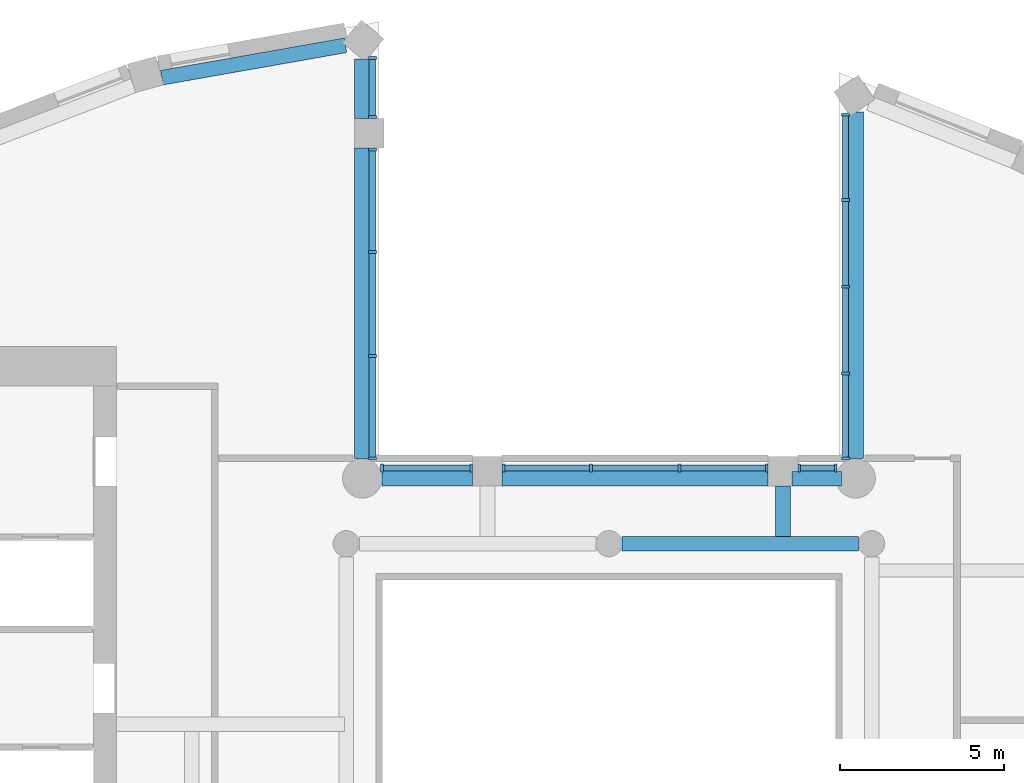
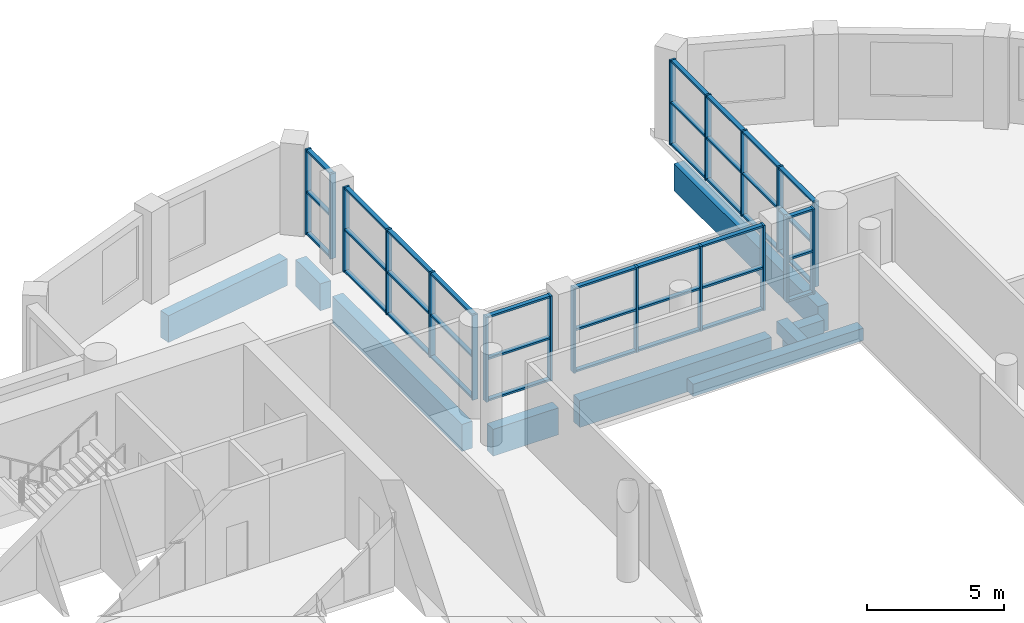
# One storey, part 2 of 15: 58 members, 9 beams, 6 elements without a shape of their own.
"""IFC4 building model written with IfcOpenShell, lengths in metres."""

from ifc_helpers import new_model, si_unit, direction, frame, origin, origin_2d, place, context, subcontext, project, spatial, rectangle, extrude, material, material_profile, profile_set, type_object, element, aggregate, save


model = new_model("IFC4")

# Units and contexts
model_context = context("Model", 3, precision=1e-05, world=origin(), true_north=direction((0.0, 1.0)))
body_context = subcontext(model_context, "Body", "Model", "MODEL_VIEW")
ifc_project = project(units=[si_unit("LENGTHUNIT", "METRE"), si_unit("AREAUNIT", "SQUARE_METRE"), si_unit("VOLUMEUNIT", "CUBIC_METRE"), si_unit("PLANEANGLEUNIT", "RADIAN"), si_unit("MASSUNIT", "GRAM", prefix="KILO")], contexts=[model_context])

# Site, building, storey
site_placement = place(None, origin())
site = spatial("IfcSite", under=ifc_project, at=site_placement, CompositionType="ELEMENT")
building_placement = place(site_placement, origin())
building = spatial("IfcBuilding", under=site, at=building_placement, Name="Cypress Arch Tower", CompositionType="ELEMENT")
storey_placement = place(building_placement, frame((0.0, 0.0, 317.199951171875)))
storey = spatial("IfcBuildingStorey", under=building, at=storey_placement, Name="L72", CompositionType="ELEMENT", Elevation=317.199951171875)

# Beams
ifc_material_1 = material(Name="Concrete C50/60", Category="concrete")
ifc_material_profile_1 = material_profile(ifc_material_1, rectangle(XDim=0.449951171875, YDim=0.550048828125, at=origin_2d()), Name="RC 450x550")
ifc_profile_set_1 = profile_set([ifc_material_profile_1], Name="Concrete C50/60")
beam_type_1 = type_object("IfcBeamType", Name="Floor beam RC 450x550 Concrete C50/60", PredefinedType="BEAM", material=ifc_profile_set_1)
beam_1_placement = place(storey_placement, frame((1.39990234375, 10.0, -0.574951171875), z_axis=(1.0, 0.0, 0.0), x_axis=(0.0, 1.0, 0.0)))
element("IfcBeam", 1, at=beam_1_placement, inside=storey, type_object=beam_type_1, Name="Floor beam L72 RB008", PredefinedType="BEAM", context=body_context, shape_type="SweptSolid", body=[
    extrude(rectangle(XDim=0.449951171875, YDim=0.550048828125, at=origin_2d()), origin(), (0.0, 0.0, 1.0), 7.2001953125),
])
beam_2_placement = place(storey_placement, frame((6.300048828125, 10.22509765625, -0.574951171875), z_axis=(0.0, 1.0, 0.0), x_axis=(-1.0, 0.0, 0.0)))
element("IfcBeam", 2, at=beam_2_placement, inside=storey, type_object=beam_type_1, Name="Floor beam L72 FB013", PredefinedType="BEAM", context=body_context, shape_type="SweptSolid", body=[
    extrude(rectangle(XDim=0.449951171875, YDim=0.550048828125, at=origin_2d()), origin(), (0.0, 0.0, 1.0), 1.52490234375),
])

# Curtain wall, members
ifc_material_2 = material(Name="Anodised aluminium, bronze finish, clear laminated double glazing", Category="aluminium")
curtain_wall_type = type_object("IfcCurtainWallType", Name="Curtain wall CW7 slot glazing", PredefinedType="NOTDEFINED", material=ifc_material_2)
curtain_wall_1_placement = place(storey_placement, origin())
curtain_wall_1 = element("IfcCurtainWall", 3, at=curtain_wall_1_placement, inside=storey, type_object=curtain_wall_type, Name="Curtain wall L72 slot C00.0", PredefinedType="NOTDEFINED")
ifc_material_3 = material(Name="Anodised aluminium, bronze finish", Category="aluminium")
ifc_material_profile_2 = material_profile(ifc_material_3, rectangle(XDim=0.239990234375, YDim=0.0849609375, at=origin_2d()), Name="Mullion 85x240")
ifc_profile_set_2 = profile_set([ifc_material_profile_2], Name="Anodised aluminium, bronze finish")
member_type_1 = type_object("IfcMemberType", Name="Mullion CW7 85x240", PredefinedType="MULLION", material=ifc_profile_set_2)
member_1_placement = place(storey_placement, frame((8.199951171875, 23.060302734375, 0.0), z_axis=(0.0, 0.0, 1.0), x_axis=(1.0, 0.0, 0.0)))
member_1 = element("IfcMember", 4, at=member_1_placement, type_object=member_type_1, Name="CW7 mullion 1", PredefinedType="MULLION", context=body_context, shape_type="SweptSolid", body=[
    extrude(rectangle(XDim=0.239990234375, YDim=0.0849609375, at=origin_2d()), origin(), (0.0, 0.0, 1.0), 3.800048828125),
])
member_2_placement = place(storey_placement, frame((8.199951171875, 20.464111328125, 0.0), z_axis=(0.0, 0.0, 1.0), x_axis=(1.0, 0.0, 0.0)))
member_2 = element("IfcMember", 5, at=member_2_placement, type_object=member_type_1, Name="CW7 mullion 2", PredefinedType="MULLION", context=body_context, shape_type="SweptSolid", body=[
    extrude(rectangle(XDim=0.239990234375, YDim=0.0849609375, at=origin_2d()), origin(), (0.0, 0.0, 1.0), 3.800048828125),
])
member_3_placement = place(storey_placement, frame((8.199951171875, 17.82568359375, 0.0), z_axis=(0.0, 0.0, 1.0), x_axis=(1.0, 0.0, 0.0)))
member_3 = element("IfcMember", 6, at=member_3_placement, type_object=member_type_1, Name="CW7 mullion 3", PredefinedType="MULLION", context=body_context, shape_type="SweptSolid", body=[
    extrude(rectangle(XDim=0.239990234375, YDim=0.0849609375, at=origin_2d()), origin(), (0.0, 0.0, 1.0), 3.800048828125),
])
member_4_placement = place(storey_placement, frame((8.199951171875, 15.18701171875, 0.0), z_axis=(0.0, 0.0, 1.0), x_axis=(1.0, 0.0, 0.0)))
member_4 = element("IfcMember", 7, at=member_4_placement, type_object=member_type_1, Name="CW7 mullion 4", PredefinedType="MULLION", context=body_context, shape_type="SweptSolid", body=[
    extrude(rectangle(XDim=0.239990234375, YDim=0.0849609375, at=origin_2d()), origin(), (0.0, 0.0, 1.0), 3.800048828125),
])
member_5_placement = place(storey_placement, frame((8.199951171875, 12.591064453125, 0.0), z_axis=(0.0, 0.0, 1.0), x_axis=(1.0, 0.0, 0.0)))
member_5 = element("IfcMember", 8, at=member_5_placement, type_object=member_type_1, Name="CW7 mullion 5", PredefinedType="MULLION", context=body_context, shape_type="SweptSolid", body=[
    extrude(rectangle(XDim=0.239990234375, YDim=0.0849609375, at=origin_2d()), origin(), (0.0, 0.0, 1.0), 3.800048828125),
])

curtain_wall_2_placement = place(storey_placement, origin())
curtain_wall_2 = element("IfcCurtainWall", 9, at=curtain_wall_2_placement, inside=storey, type_object=curtain_wall_type, Name="Curtain wall L72 slot C01.0", PredefinedType="NOTDEFINED")
member_6_placement = place(storey_placement, frame((7.908935546875, 12.300048828125, 0.0), z_axis=(0.0, 0.0, 1.0), x_axis=(0.0, -1.0, 0.0)))
member_6 = element("IfcMember", 10, at=member_6_placement, type_object=member_type_1, Name="CW7 mullion 1", PredefinedType="MULLION", context=body_context, shape_type="SweptSolid", body=[
    extrude(rectangle(XDim=0.239990234375, YDim=0.0849609375, at=origin_2d()), origin(), (0.0, 0.0, 1.0), 3.800048828125),
])
member_7_placement = place(storey_placement, frame((6.79248046875, 12.300048828125, 0.0), z_axis=(0.0, 0.0, 1.0), x_axis=(0.0, -1.0, 0.0)))
member_7 = element("IfcMember", 11, at=member_7_placement, type_object=member_type_1, Name="CW7 mullion 2", PredefinedType="MULLION", context=body_context, shape_type="SweptSolid", body=[
    extrude(rectangle(XDim=0.239990234375, YDim=0.0849609375, at=origin_2d()), origin(), (0.0, 0.0, 1.0), 3.800048828125),
])

curtain_wall_3_placement = place(storey_placement, origin())
curtain_wall_3 = element("IfcCurtainWall", 12, at=curtain_wall_3_placement, inside=storey, type_object=curtain_wall_type, Name="Curtain wall L72 slot C01.1", PredefinedType="NOTDEFINED")
member_8_placement = place(storey_placement, frame((5.8076171875, 12.300048828125, 0.0), z_axis=(0.0, 0.0, 1.0), x_axis=(0.0, -1.0, 0.0)))
member_8 = element("IfcMember", 13, at=member_8_placement, type_object=member_type_1, Name="CW7 mullion 1", PredefinedType="MULLION", context=body_context, shape_type="SweptSolid", body=[
    extrude(rectangle(XDim=0.239990234375, YDim=0.0849609375, at=origin_2d()), origin(), (0.0, 0.0, 1.0), 3.800048828125),
])
member_9_placement = place(storey_placement, frame((3.14990234375, 12.300048828125, 0.0), z_axis=(0.0, 0.0, 1.0), x_axis=(0.0, -1.0, 0.0)))
member_9 = element("IfcMember", 14, at=member_9_placement, type_object=member_type_1, Name="CW7 mullion 2", PredefinedType="MULLION", context=body_context, shape_type="SweptSolid", body=[
    extrude(rectangle(XDim=0.239990234375, YDim=0.0849609375, at=origin_2d()), origin(), (0.0, 0.0, 1.0), 3.800048828125),
])
member_10_placement = place(storey_placement, frame((0.449951171875, 12.300048828125, 0.0), z_axis=(0.0, 0.0, 1.0), x_axis=(0.0, -1.0, 0.0)))
member_10 = element("IfcMember", 15, at=member_10_placement, type_object=member_type_1, Name="CW7 mullion 3", PredefinedType="MULLION", context=body_context, shape_type="SweptSolid", body=[
    extrude(rectangle(XDim=0.239990234375, YDim=0.0849609375, at=origin_2d()), origin(), (0.0, 0.0, 1.0), 3.800048828125),
])
member_11_placement = place(storey_placement, frame((-2.20751953125, 12.300048828125, 0.0), z_axis=(0.0, 0.0, 1.0), x_axis=(0.0, -1.0, 0.0)))
member_11 = element("IfcMember", 16, at=member_11_placement, type_object=member_type_1, Name="CW7 mullion 4", PredefinedType="MULLION", context=body_context, shape_type="SweptSolid", body=[
    extrude(rectangle(XDim=0.239990234375, YDim=0.0849609375, at=origin_2d()), origin(), (0.0, 0.0, 1.0), 3.800048828125),
])

curtain_wall_4_placement = place(storey_placement, origin())
curtain_wall_4 = element("IfcCurtainWall", 17, at=curtain_wall_4_placement, inside=storey, type_object=curtain_wall_type, Name="Curtain wall L72 slot C01.2", PredefinedType="NOTDEFINED")
member_12_placement = place(storey_placement, frame((-3.1923828125, 12.300048828125, 0.0), z_axis=(0.0, 0.0, 1.0), x_axis=(0.0, -1.0, 0.0)))
member_12 = element("IfcMember", 18, at=member_12_placement, type_object=member_type_1, Name="CW7 mullion 1", PredefinedType="MULLION", context=body_context, shape_type="SweptSolid", body=[
    extrude(rectangle(XDim=0.239990234375, YDim=0.0849609375, at=origin_2d()), origin(), (0.0, 0.0, 1.0), 3.800048828125),
])
member_13_placement = place(storey_placement, frame((-5.908935546875, 12.300048828125, 0.0), z_axis=(0.0, 0.0, 1.0), x_axis=(0.0, -1.0, 0.0)))
member_13 = element("IfcMember", 19, at=member_13_placement, type_object=member_type_1, Name="CW7 mullion 2", PredefinedType="MULLION", context=body_context, shape_type="SweptSolid", body=[
    extrude(rectangle(XDim=0.239990234375, YDim=0.0849609375, at=origin_2d()), origin(), (0.0, 0.0, 1.0), 3.800048828125),
])

curtain_wall_5_placement = place(storey_placement, origin())
curtain_wall_5 = element("IfcCurtainWall", 20, at=curtain_wall_5_placement, inside=storey, type_object=curtain_wall_type, Name="Curtain wall L72 slot C02.0", PredefinedType="NOTDEFINED")
member_14_placement = place(storey_placement, frame((-6.199951171875, 12.591064453125, 0.0), z_axis=(0.0, 0.0, 1.0), x_axis=(-1.0, 0.0, 0.0)))
member_14 = element("IfcMember", 21, at=member_14_placement, type_object=member_type_1, Name="CW7 mullion 1", PredefinedType="MULLION", context=body_context, shape_type="SweptSolid", body=[
    extrude(rectangle(XDim=0.239990234375, YDim=0.0849609375, at=origin_2d()), origin(), (0.0, 0.0, 1.0), 3.800048828125),
])
member_15_placement = place(storey_placement, frame((-6.199951171875, 15.715576171875, 0.0), z_axis=(0.0, 0.0, 1.0), x_axis=(-1.0, 0.0, 0.0)))
member_15 = element("IfcMember", 22, at=member_15_placement, type_object=member_type_1, Name="CW7 mullion 2", PredefinedType="MULLION", context=body_context, shape_type="SweptSolid", body=[
    extrude(rectangle(XDim=0.239990234375, YDim=0.0849609375, at=origin_2d()), origin(), (0.0, 0.0, 1.0), 3.800048828125),
])
member_16_placement = place(storey_placement, frame((-6.199951171875, 18.8828125, 0.0), z_axis=(0.0, 0.0, 1.0), x_axis=(-1.0, 0.0, 0.0)))
member_16 = element("IfcMember", 23, at=member_16_placement, type_object=member_type_1, Name="CW7 mullion 3", PredefinedType="MULLION", context=body_context, shape_type="SweptSolid", body=[
    extrude(rectangle(XDim=0.239990234375, YDim=0.0849609375, at=origin_2d()), origin(), (0.0, 0.0, 1.0), 3.800048828125),
])
member_17_placement = place(storey_placement, frame((-6.199951171875, 22.007568359375, 0.0), z_axis=(0.0, 0.0, 1.0), x_axis=(-1.0, 0.0, 0.0)))
member_17 = element("IfcMember", 24, at=member_17_placement, type_object=member_type_1, Name="CW7 mullion 4", PredefinedType="MULLION", context=body_context, shape_type="SweptSolid", body=[
    extrude(rectangle(XDim=0.239990234375, YDim=0.0849609375, at=origin_2d()), origin(), (0.0, 0.0, 1.0), 3.800048828125),
])

curtain_wall_6_placement = place(storey_placement, origin())
curtain_wall_6 = element("IfcCurtainWall", 25, at=curtain_wall_6_placement, inside=storey, type_object=curtain_wall_type, Name="Curtain wall L72 slot C02.1", PredefinedType="NOTDEFINED")
member_18_placement = place(storey_placement, frame((-6.199951171875, 22.992431640625, 0.0), z_axis=(0.0, 0.0, 1.0), x_axis=(-1.0, 0.0, 0.0)))
member_18 = element("IfcMember", 26, at=member_18_placement, type_object=member_type_1, Name="CW7 mullion 1", PredefinedType="MULLION", context=body_context, shape_type="SweptSolid", body=[
    extrude(rectangle(XDim=0.239990234375, YDim=0.0849609375, at=origin_2d()), origin(), (0.0, 0.0, 1.0), 3.800048828125),
])
member_19_placement = place(storey_placement, frame((-6.199951171875, 24.789794921875, 0.0), z_axis=(0.0, 0.0, 1.0), x_axis=(-1.0, 0.0, 0.0)))
member_19 = element("IfcMember", 27, at=member_19_placement, type_object=member_type_1, Name="CW7 mullion 2", PredefinedType="MULLION", context=body_context, shape_type="SweptSolid", body=[
    extrude(rectangle(XDim=0.239990234375, YDim=0.0849609375, at=origin_2d()), origin(), (0.0, 0.0, 1.0), 3.800048828125),
])

# Beams
ifc_material_4 = material(Name="Concrete C50/60", Category="concrete")
ifc_material_profile_3 = material_profile(ifc_material_4, rectangle(XDim=0.449951171875, YDim=1.199951171875, at=origin_2d()), Name="RC 450x1200")
ifc_profile_set_3 = profile_set([ifc_material_profile_3], Name="Concrete C50/60")
beam_type_2 = type_object("IfcBeamType", Name="Spandrel beam RC 450x1200 Concrete C50/60", PredefinedType="SPANDREL", material=ifc_profile_set_3)
beam_3_placement = place(storey_placement, frame((8.52490234375, 23.138427734375, -1.550048828125), z_axis=(0.0, -1.0, 0.0), x_axis=(1.0, 0.0, 0.0)))
element("IfcBeam", 28, at=beam_3_placement, inside=storey, type_object=beam_type_2, Name="Spandrel beam L72 BC00-0", PredefinedType="SPANDREL", context=body_context, shape_type="SweptSolid", body=[
    extrude(rectangle(XDim=0.449951171875, YDim=1.199951171875, at=origin_2d()), origin(), (0.0, 0.0, 1.0), 10.55078125),
])
beam_4_placement = place(storey_placement, frame((8.081298828125, 11.97509765625, -1.550048828125), z_axis=(-1.0, 0.0, 0.0), x_axis=(0.0, -1.0, 0.0)))
element("IfcBeam", 29, at=beam_4_placement, inside=storey, type_object=beam_type_2, Name="Spandrel beam L72 BC01-0", PredefinedType="SPANDREL", context=body_context, shape_type="SweptSolid", body=[
    extrude(rectangle(XDim=0.449951171875, YDim=1.199951171875, at=origin_2d()), origin(), (0.0, 0.0, 1.0), 1.5),
])
beam_5_placement = place(storey_placement, frame((5.85009765625, 11.97509765625, -1.550048828125), z_axis=(-1.0, 0.0, 0.0), x_axis=(0.0, -1.0, 0.0)))
element("IfcBeam", 30, at=beam_5_placement, inside=storey, type_object=beam_type_2, Name="Spandrel beam L72 BC01-1", PredefinedType="SPANDREL", context=body_context, shape_type="SweptSolid", body=[
    extrude(rectangle(XDim=0.449951171875, YDim=1.199951171875, at=origin_2d()), origin(), (0.0, 0.0, 1.0), 8.10009765625),
])
beam_6_placement = place(storey_placement, frame((-3.14990234375, 11.97509765625, -1.550048828125), z_axis=(-1.0, 0.0, 0.0), x_axis=(0.0, -1.0, 0.0)))
element("IfcBeam", 31, at=beam_6_placement, inside=storey, type_object=beam_type_2, Name="Spandrel beam L72 BC01-2", PredefinedType="SPANDREL", context=body_context, shape_type="SweptSolid", body=[
    extrude(rectangle(XDim=0.449951171875, YDim=1.199951171875, at=origin_2d()), origin(), (0.0, 0.0, 1.0), 2.762451171875),
])
beam_7_placement = place(storey_placement, frame((-6.52490234375, 12.587646484375, -1.550048828125), z_axis=(0.0, 1.0, 0.0), x_axis=(-1.0, 0.0, 0.0)))
element("IfcBeam", 32, at=beam_7_placement, inside=storey, type_object=beam_type_2, Name="Spandrel beam L72 BC02-0", PredefinedType="SPANDREL", context=body_context, shape_type="SweptSolid", body=[
    extrude(rectangle(XDim=0.449951171875, YDim=1.199951171875, at=origin_2d()), origin(), (0.0, 0.0, 1.0), 9.46240234375),
])
beam_8_placement = place(storey_placement, frame((-6.52490234375, 22.949951171875, -1.550048828125), z_axis=(0.0, 1.0, 0.0), x_axis=(-1.0, 0.0, 0.0)))
element("IfcBeam", 33, at=beam_8_placement, inside=storey, type_object=beam_type_2, Name="Spandrel beam L72 BC02-1", PredefinedType="SPANDREL", context=body_context, shape_type="SweptSolid", body=[
    extrude(rectangle(XDim=0.449951171875, YDim=1.199951171875, at=origin_2d()), origin(), (0.0, 0.0, 1.0), 1.810302734375),
])
beam_9_placement = place(storey_placement, frame((-7.021484375, 25.1767578125, -1.550048828125), z_axis=(-0.984798704294, -0.173699487682, 0.0), x_axis=(0.173699487682, -0.984798704294, 0.0)))
element("IfcBeam", 34, at=beam_9_placement, inside=storey, type_object=beam_type_2, Name="Spandrel beam L72 BC03-0", PredefinedType="SPANDREL", context=body_context, shape_type="SweptSolid", body=[
    extrude(rectangle(XDim=0.449951171875, YDim=1.199951171875, at=origin_2d()), origin(), (0.0, 0.0, 1.0), 5.678466796875),
])

# Member
ifc_material_5 = material(Name="Anodised aluminium, bronze finish", Category="aluminium")
ifc_material_profile_4 = material_profile(ifc_material_5, rectangle(XDim=0.179931640625, YDim=0.0849609375, at=origin_2d()), Name="Transom 85x180")
ifc_profile_set_4 = profile_set([ifc_material_profile_4], Name="Anodised aluminium, bronze finish")
member_type_2 = type_object("IfcMemberType", Name="Transom CW7 85x180", PredefinedType="USERDEFINED", material=ifc_profile_set_4)
member_20_placement = place(storey_placement, frame((8.199951171875, 23.017578125, 0.04248046875), z_axis=(0.0, -1.0, 0.0), x_axis=(1.0, 0.0, 0.0)))
member_20 = element("IfcMember", 35, at=member_20_placement, type_object=member_type_2, Name="CW7 transom 1.1", ObjectType="TRANSOM", PredefinedType="USERDEFINED", context=body_context, shape_type="SweptSolid", body=[
    extrude(rectangle(XDim=0.179931640625, YDim=0.0849609375, at=origin_2d()), origin(), (0.0, 0.0, 1.0), 2.510986328125),
])

member_21_placement = place(storey_placement, frame((8.199951171875, 23.017578125, 1.900146484375), z_axis=(0.0, -1.0, 0.0), x_axis=(1.0, 0.0, 0.0)))
member_21 = element("IfcMember", 36, at=member_21_placement, type_object=member_type_2, Name="CW7 transom 1.2", ObjectType="TRANSOM", PredefinedType="USERDEFINED", context=body_context, shape_type="SweptSolid", body=[
    extrude(rectangle(XDim=0.179931640625, YDim=0.0849609375, at=origin_2d()), origin(), (0.0, 0.0, 1.0), 2.510986328125),
])

member_22_placement = place(storey_placement, frame((8.199951171875, 23.017578125, 3.757568359375), z_axis=(0.0, -1.0, 0.0), x_axis=(1.0, 0.0, 0.0)))
member_22 = element("IfcMember", 37, at=member_22_placement, type_object=member_type_2, Name="CW7 transom 1.3", ObjectType="TRANSOM", PredefinedType="USERDEFINED", context=body_context, shape_type="SweptSolid", body=[
    extrude(rectangle(XDim=0.179931640625, YDim=0.0849609375, at=origin_2d()), origin(), (0.0, 0.0, 1.0), 2.510986328125),
])

member_23_placement = place(storey_placement, frame((8.199951171875, 20.421630859375, 0.04248046875), z_axis=(0.0, -1.0, 0.0), x_axis=(1.0, 0.0, 0.0)))
member_23 = element("IfcMember", 38, at=member_23_placement, type_object=member_type_2, Name="CW7 transom 2.1", ObjectType="TRANSOM", PredefinedType="USERDEFINED", context=body_context, shape_type="SweptSolid", body=[
    extrude(rectangle(XDim=0.179931640625, YDim=0.0849609375, at=origin_2d()), origin(), (0.0, 0.0, 1.0), 2.553466796875),
])

member_24_placement = place(storey_placement, frame((8.199951171875, 20.421630859375, 1.900146484375), z_axis=(0.0, -1.0, 0.0), x_axis=(1.0, 0.0, 0.0)))
member_24 = element("IfcMember", 39, at=member_24_placement, type_object=member_type_2, Name="CW7 transom 2.2", ObjectType="TRANSOM", PredefinedType="USERDEFINED", context=body_context, shape_type="SweptSolid", body=[
    extrude(rectangle(XDim=0.179931640625, YDim=0.0849609375, at=origin_2d()), origin(), (0.0, 0.0, 1.0), 2.553466796875),
])

member_25_placement = place(storey_placement, frame((8.199951171875, 20.421630859375, 3.757568359375), z_axis=(0.0, -1.0, 0.0), x_axis=(1.0, 0.0, 0.0)))
member_25 = element("IfcMember", 40, at=member_25_placement, type_object=member_type_2, Name="CW7 transom 2.3", ObjectType="TRANSOM", PredefinedType="USERDEFINED", context=body_context, shape_type="SweptSolid", body=[
    extrude(rectangle(XDim=0.179931640625, YDim=0.0849609375, at=origin_2d()), origin(), (0.0, 0.0, 1.0), 2.553466796875),
])

member_26_placement = place(storey_placement, frame((8.199951171875, 17.782958984375, 0.04248046875), z_axis=(0.0, -1.0, 0.0), x_axis=(1.0, 0.0, 0.0)))
member_26 = element("IfcMember", 41, at=member_26_placement, type_object=member_type_2, Name="CW7 transom 3.1", ObjectType="TRANSOM", PredefinedType="USERDEFINED", context=body_context, shape_type="SweptSolid", body=[
    extrude(rectangle(XDim=0.179931640625, YDim=0.0849609375, at=origin_2d()), origin(), (0.0, 0.0, 1.0), 2.553466796875),
])

member_27_placement = place(storey_placement, frame((8.199951171875, 17.782958984375, 1.900146484375), z_axis=(0.0, -1.0, 0.0), x_axis=(1.0, 0.0, 0.0)))
member_27 = element("IfcMember", 42, at=member_27_placement, type_object=member_type_2, Name="CW7 transom 3.2", ObjectType="TRANSOM", PredefinedType="USERDEFINED", context=body_context, shape_type="SweptSolid", body=[
    extrude(rectangle(XDim=0.179931640625, YDim=0.0849609375, at=origin_2d()), origin(), (0.0, 0.0, 1.0), 2.553466796875),
])

member_28_placement = place(storey_placement, frame((8.199951171875, 17.782958984375, 3.757568359375), z_axis=(0.0, -1.0, 0.0), x_axis=(1.0, 0.0, 0.0)))
member_28 = element("IfcMember", 43, at=member_28_placement, type_object=member_type_2, Name="CW7 transom 3.3", ObjectType="TRANSOM", PredefinedType="USERDEFINED", context=body_context, shape_type="SweptSolid", body=[
    extrude(rectangle(XDim=0.179931640625, YDim=0.0849609375, at=origin_2d()), origin(), (0.0, 0.0, 1.0), 2.553466796875),
])

member_29_placement = place(storey_placement, frame((8.199951171875, 15.14453125, 0.04248046875), z_axis=(0.0, -1.0, 0.0), x_axis=(1.0, 0.0, 0.0)))
member_29 = element("IfcMember", 44, at=member_29_placement, type_object=member_type_2, Name="CW7 transom 4.1", ObjectType="TRANSOM", PredefinedType="USERDEFINED", context=body_context, shape_type="SweptSolid", body=[
    extrude(rectangle(XDim=0.179931640625, YDim=0.0849609375, at=origin_2d()), origin(), (0.0, 0.0, 1.0), 2.510986328125),
])

member_30_placement = place(storey_placement, frame((8.199951171875, 15.14453125, 1.900146484375), z_axis=(0.0, -1.0, 0.0), x_axis=(1.0, 0.0, 0.0)))
member_30 = element("IfcMember", 45, at=member_30_placement, type_object=member_type_2, Name="CW7 transom 4.2", ObjectType="TRANSOM", PredefinedType="USERDEFINED", context=body_context, shape_type="SweptSolid", body=[
    extrude(rectangle(XDim=0.179931640625, YDim=0.0849609375, at=origin_2d()), origin(), (0.0, 0.0, 1.0), 2.510986328125),
])

member_31_placement = place(storey_placement, frame((8.199951171875, 15.14453125, 3.757568359375), z_axis=(0.0, -1.0, 0.0), x_axis=(1.0, 0.0, 0.0)))
member_31 = element("IfcMember", 46, at=member_31_placement, type_object=member_type_2, Name="CW7 transom 4.3", ObjectType="TRANSOM", PredefinedType="USERDEFINED", context=body_context, shape_type="SweptSolid", body=[
    extrude(rectangle(XDim=0.179931640625, YDim=0.0849609375, at=origin_2d()), origin(), (0.0, 0.0, 1.0), 2.510986328125),
])

aggregate(curtain_wall_1, [member_1, member_2, member_3, member_4, member_5, member_20, member_21, member_22, member_23, member_24, member_25, member_26, member_27, member_28, member_29, member_30, member_31])

member_32_placement = place(storey_placement, frame((7.866455078125, 12.300048828125, 0.04248046875), z_axis=(-1.0, 0.0, 0.0), x_axis=(0.0, -1.0, 0.0)))
member_32 = element("IfcMember", 47, at=member_32_placement, type_object=member_type_2, Name="CW7 transom 1.1", ObjectType="TRANSOM", PredefinedType="USERDEFINED", context=body_context, shape_type="SweptSolid", body=[
    extrude(rectangle(XDim=0.179931640625, YDim=0.0849609375, at=origin_2d()), origin(), (0.0, 0.0, 1.0), 1.031494140625),
])

member_33_placement = place(storey_placement, frame((7.866455078125, 12.300048828125, 1.900146484375), z_axis=(-1.0, 0.0, 0.0), x_axis=(0.0, -1.0, 0.0)))
member_33 = element("IfcMember", 48, at=member_33_placement, type_object=member_type_2, Name="CW7 transom 1.2", ObjectType="TRANSOM", PredefinedType="USERDEFINED", context=body_context, shape_type="SweptSolid", body=[
    extrude(rectangle(XDim=0.179931640625, YDim=0.0849609375, at=origin_2d()), origin(), (0.0, 0.0, 1.0), 1.031494140625),
])

member_34_placement = place(storey_placement, frame((7.866455078125, 12.300048828125, 3.757568359375), z_axis=(-1.0, 0.0, 0.0), x_axis=(0.0, -1.0, 0.0)))
member_34 = element("IfcMember", 49, at=member_34_placement, type_object=member_type_2, Name="CW7 transom 1.3", ObjectType="TRANSOM", PredefinedType="USERDEFINED", context=body_context, shape_type="SweptSolid", body=[
    extrude(rectangle(XDim=0.179931640625, YDim=0.0849609375, at=origin_2d()), origin(), (0.0, 0.0, 1.0), 1.031494140625),
])

aggregate(curtain_wall_2, [member_6, member_7, member_32, member_33, member_34])

member_35_placement = place(storey_placement, frame((5.764892578125, 12.300048828125, 0.04248046875), z_axis=(-1.0, 0.0, 0.0), x_axis=(0.0, -1.0, 0.0)))
member_35 = element("IfcMember", 50, at=member_35_placement, type_object=member_type_2, Name="CW7 transom 1.1", ObjectType="TRANSOM", PredefinedType="USERDEFINED", context=body_context, shape_type="SweptSolid", body=[
    extrude(rectangle(XDim=0.179931640625, YDim=0.0849609375, at=origin_2d()), origin(), (0.0, 0.0, 1.0), 2.572509765625),
])

member_36_placement = place(storey_placement, frame((5.764892578125, 12.300048828125, 1.900146484375), z_axis=(-1.0, 0.0, 0.0), x_axis=(0.0, -1.0, 0.0)))
member_36 = element("IfcMember", 51, at=member_36_placement, type_object=member_type_2, Name="CW7 transom 1.2", ObjectType="TRANSOM", PredefinedType="USERDEFINED", context=body_context, shape_type="SweptSolid", body=[
    extrude(rectangle(XDim=0.179931640625, YDim=0.0849609375, at=origin_2d()), origin(), (0.0, 0.0, 1.0), 2.572509765625),
])

member_37_placement = place(storey_placement, frame((5.764892578125, 12.300048828125, 3.757568359375), z_axis=(-1.0, 0.0, 0.0), x_axis=(0.0, -1.0, 0.0)))
member_37 = element("IfcMember", 52, at=member_37_placement, type_object=member_type_2, Name="CW7 transom 1.3", ObjectType="TRANSOM", PredefinedType="USERDEFINED", context=body_context, shape_type="SweptSolid", body=[
    extrude(rectangle(XDim=0.179931640625, YDim=0.0849609375, at=origin_2d()), origin(), (0.0, 0.0, 1.0), 2.572509765625),
])

member_38_placement = place(storey_placement, frame((3.107421875, 12.300048828125, 0.04248046875), z_axis=(-1.0, 0.0, 0.0), x_axis=(0.0, -1.0, 0.0)))
member_38 = element("IfcMember", 53, at=member_38_placement, type_object=member_type_2, Name="CW7 transom 2.1", ObjectType="TRANSOM", PredefinedType="USERDEFINED", context=body_context, shape_type="SweptSolid", body=[
    extrude(rectangle(XDim=0.179931640625, YDim=0.0849609375, at=origin_2d()), origin(), (0.0, 0.0, 1.0), 2.614990234375),
])

member_39_placement = place(storey_placement, frame((3.107421875, 12.300048828125, 1.900146484375), z_axis=(-1.0, 0.0, 0.0), x_axis=(0.0, -1.0, 0.0)))
member_39 = element("IfcMember", 54, at=member_39_placement, type_object=member_type_2, Name="CW7 transom 2.2", ObjectType="TRANSOM", PredefinedType="USERDEFINED", context=body_context, shape_type="SweptSolid", body=[
    extrude(rectangle(XDim=0.179931640625, YDim=0.0849609375, at=origin_2d()), origin(), (0.0, 0.0, 1.0), 2.614990234375),
])

member_40_placement = place(storey_placement, frame((3.107421875, 12.300048828125, 3.757568359375), z_axis=(-1.0, 0.0, 0.0), x_axis=(0.0, -1.0, 0.0)))
member_40 = element("IfcMember", 55, at=member_40_placement, type_object=member_type_2, Name="CW7 transom 2.3", ObjectType="TRANSOM", PredefinedType="USERDEFINED", context=body_context, shape_type="SweptSolid", body=[
    extrude(rectangle(XDim=0.179931640625, YDim=0.0849609375, at=origin_2d()), origin(), (0.0, 0.0, 1.0), 2.614990234375),
])

member_41_placement = place(storey_placement, frame((0.407470703125, 12.300048828125, 0.04248046875), z_axis=(-1.0, 0.0, 0.0), x_axis=(0.0, -1.0, 0.0)))
member_41 = element("IfcMember", 56, at=member_41_placement, type_object=member_type_2, Name="CW7 transom 3.1", ObjectType="TRANSOM", PredefinedType="USERDEFINED", context=body_context, shape_type="SweptSolid", body=[
    extrude(rectangle(XDim=0.179931640625, YDim=0.0849609375, at=origin_2d()), origin(), (0.0, 0.0, 1.0), 2.572509765625),
])

member_42_placement = place(storey_placement, frame((0.407470703125, 12.300048828125, 1.900146484375), z_axis=(-1.0, 0.0, 0.0), x_axis=(0.0, -1.0, 0.0)))
member_42 = element("IfcMember", 57, at=member_42_placement, type_object=member_type_2, Name="CW7 transom 3.2", ObjectType="TRANSOM", PredefinedType="USERDEFINED", context=body_context, shape_type="SweptSolid", body=[
    extrude(rectangle(XDim=0.179931640625, YDim=0.0849609375, at=origin_2d()), origin(), (0.0, 0.0, 1.0), 2.572509765625),
])

member_43_placement = place(storey_placement, frame((0.407470703125, 12.300048828125, 3.757568359375), z_axis=(-1.0, 0.0, 0.0), x_axis=(0.0, -1.0, 0.0)))
member_43 = element("IfcMember", 58, at=member_43_placement, type_object=member_type_2, Name="CW7 transom 3.3", ObjectType="TRANSOM", PredefinedType="USERDEFINED", context=body_context, shape_type="SweptSolid", body=[
    extrude(rectangle(XDim=0.179931640625, YDim=0.0849609375, at=origin_2d()), origin(), (0.0, 0.0, 1.0), 2.572509765625),
])

aggregate(curtain_wall_3, [member_8, member_9, member_10, member_11, member_35, member_36, member_37, member_38, member_39, member_40, member_41, member_42, member_43])

member_44_placement = place(storey_placement, frame((-3.235107421875, 12.300048828125, 0.04248046875), z_axis=(-1.0, 0.0, 0.0), x_axis=(0.0, -1.0, 0.0)))
member_44 = element("IfcMember", 59, at=member_44_placement, type_object=member_type_2, Name="CW7 transom 1.1", ObjectType="TRANSOM", PredefinedType="USERDEFINED", context=body_context, shape_type="SweptSolid", body=[
    extrude(rectangle(XDim=0.179931640625, YDim=0.0849609375, at=origin_2d()), origin(), (0.0, 0.0, 1.0), 2.63134765625),
])

member_45_placement = place(storey_placement, frame((-3.235107421875, 12.300048828125, 1.900146484375), z_axis=(-1.0, 0.0, 0.0), x_axis=(0.0, -1.0, 0.0)))
member_45 = element("IfcMember", 60, at=member_45_placement, type_object=member_type_2, Name="CW7 transom 1.2", ObjectType="TRANSOM", PredefinedType="USERDEFINED", context=body_context, shape_type="SweptSolid", body=[
    extrude(rectangle(XDim=0.179931640625, YDim=0.0849609375, at=origin_2d()), origin(), (0.0, 0.0, 1.0), 2.63134765625),
])

member_46_placement = place(storey_placement, frame((-3.235107421875, 12.300048828125, 3.757568359375), z_axis=(-1.0, 0.0, 0.0), x_axis=(0.0, -1.0, 0.0)))
member_46 = element("IfcMember", 61, at=member_46_placement, type_object=member_type_2, Name="CW7 transom 1.3", ObjectType="TRANSOM", PredefinedType="USERDEFINED", context=body_context, shape_type="SweptSolid", body=[
    extrude(rectangle(XDim=0.179931640625, YDim=0.0849609375, at=origin_2d()), origin(), (0.0, 0.0, 1.0), 2.63134765625),
])

aggregate(curtain_wall_4, [member_12, member_13, member_44, member_45, member_46])

member_47_placement = place(storey_placement, frame((-6.199951171875, 12.633544921875, 0.04248046875), z_axis=(0.0, 1.0, 0.0), x_axis=(-1.0, 0.0, 0.0)))
member_47 = element("IfcMember", 62, at=member_47_placement, type_object=member_type_2, Name="CW7 transom 1.1", ObjectType="TRANSOM", PredefinedType="USERDEFINED", context=body_context, shape_type="SweptSolid", body=[
    extrude(rectangle(XDim=0.179931640625, YDim=0.0849609375, at=origin_2d()), origin(), (0.0, 0.0, 1.0), 3.03955078125),
])

member_48_placement = place(storey_placement, frame((-6.199951171875, 12.633544921875, 1.900146484375), z_axis=(0.0, 1.0, 0.0), x_axis=(-1.0, 0.0, 0.0)))
member_48 = element("IfcMember", 63, at=member_48_placement, type_object=member_type_2, Name="CW7 transom 1.2", ObjectType="TRANSOM", PredefinedType="USERDEFINED", context=body_context, shape_type="SweptSolid", body=[
    extrude(rectangle(XDim=0.179931640625, YDim=0.0849609375, at=origin_2d()), origin(), (0.0, 0.0, 1.0), 3.03955078125),
])

member_49_placement = place(storey_placement, frame((-6.199951171875, 12.633544921875, 3.757568359375), z_axis=(0.0, 1.0, 0.0), x_axis=(-1.0, 0.0, 0.0)))
member_49 = element("IfcMember", 64, at=member_49_placement, type_object=member_type_2, Name="CW7 transom 1.3", ObjectType="TRANSOM", PredefinedType="USERDEFINED", context=body_context, shape_type="SweptSolid", body=[
    extrude(rectangle(XDim=0.179931640625, YDim=0.0849609375, at=origin_2d()), origin(), (0.0, 0.0, 1.0), 3.03955078125),
])

member_50_placement = place(storey_placement, frame((-6.199951171875, 15.758056640625, 0.04248046875), z_axis=(0.0, 1.0, 0.0), x_axis=(-1.0, 0.0, 0.0)))
member_50 = element("IfcMember", 65, at=member_50_placement, type_object=member_type_2, Name="CW7 transom 2.1", ObjectType="TRANSOM", PredefinedType="USERDEFINED", context=body_context, shape_type="SweptSolid", body=[
    extrude(rectangle(XDim=0.179931640625, YDim=0.0849609375, at=origin_2d()), origin(), (0.0, 0.0, 1.0), 3.082275390625),
])

member_51_placement = place(storey_placement, frame((-6.199951171875, 15.758056640625, 1.900146484375), z_axis=(0.0, 1.0, 0.0), x_axis=(-1.0, 0.0, 0.0)))
member_51 = element("IfcMember", 66, at=member_51_placement, type_object=member_type_2, Name="CW7 transom 2.2", ObjectType="TRANSOM", PredefinedType="USERDEFINED", context=body_context, shape_type="SweptSolid", body=[
    extrude(rectangle(XDim=0.179931640625, YDim=0.0849609375, at=origin_2d()), origin(), (0.0, 0.0, 1.0), 3.082275390625),
])

member_52_placement = place(storey_placement, frame((-6.199951171875, 15.758056640625, 3.757568359375), z_axis=(0.0, 1.0, 0.0), x_axis=(-1.0, 0.0, 0.0)))
member_52 = element("IfcMember", 67, at=member_52_placement, type_object=member_type_2, Name="CW7 transom 2.3", ObjectType="TRANSOM", PredefinedType="USERDEFINED", context=body_context, shape_type="SweptSolid", body=[
    extrude(rectangle(XDim=0.179931640625, YDim=0.0849609375, at=origin_2d()), origin(), (0.0, 0.0, 1.0), 3.082275390625),
])

member_53_placement = place(storey_placement, frame((-6.199951171875, 18.92529296875, 0.04248046875), z_axis=(0.0, 1.0, 0.0), x_axis=(-1.0, 0.0, 0.0)))
member_53 = element("IfcMember", 68, at=member_53_placement, type_object=member_type_2, Name="CW7 transom 3.1", ObjectType="TRANSOM", PredefinedType="USERDEFINED", context=body_context, shape_type="SweptSolid", body=[
    extrude(rectangle(XDim=0.179931640625, YDim=0.0849609375, at=origin_2d()), origin(), (0.0, 0.0, 1.0), 3.039794921875),
])

member_54_placement = place(storey_placement, frame((-6.199951171875, 18.92529296875, 1.900146484375), z_axis=(0.0, 1.0, 0.0), x_axis=(-1.0, 0.0, 0.0)))
member_54 = element("IfcMember", 69, at=member_54_placement, type_object=member_type_2, Name="CW7 transom 3.2", ObjectType="TRANSOM", PredefinedType="USERDEFINED", context=body_context, shape_type="SweptSolid", body=[
    extrude(rectangle(XDim=0.179931640625, YDim=0.0849609375, at=origin_2d()), origin(), (0.0, 0.0, 1.0), 3.039794921875),
])

member_55_placement = place(storey_placement, frame((-6.199951171875, 18.92529296875, 3.757568359375), z_axis=(0.0, 1.0, 0.0), x_axis=(-1.0, 0.0, 0.0)))
member_55 = element("IfcMember", 70, at=member_55_placement, type_object=member_type_2, Name="CW7 transom 3.3", ObjectType="TRANSOM", PredefinedType="USERDEFINED", context=body_context, shape_type="SweptSolid", body=[
    extrude(rectangle(XDim=0.179931640625, YDim=0.0849609375, at=origin_2d()), origin(), (0.0, 0.0, 1.0), 3.039794921875),
])

aggregate(curtain_wall_5, [member_14, member_15, member_16, member_17, member_47, member_48, member_49, member_50, member_51, member_52, member_53, member_54, member_55])

member_56_placement = place(storey_placement, frame((-6.199951171875, 23.034912109375, 0.04248046875), z_axis=(0.0, 1.0, 0.0), x_axis=(-1.0, 0.0, 0.0)))
member_56 = element("IfcMember", 71, at=member_56_placement, type_object=member_type_2, Name="CW7 transom 1.1", ObjectType="TRANSOM", PredefinedType="USERDEFINED", context=body_context, shape_type="SweptSolid", body=[
    extrude(rectangle(XDim=0.179931640625, YDim=0.0849609375, at=origin_2d()), origin(), (0.0, 0.0, 1.0), 1.71240234375),
])

member_57_placement = place(storey_placement, frame((-6.199951171875, 23.034912109375, 1.900146484375), z_axis=(0.0, 1.0, 0.0), x_axis=(-1.0, 0.0, 0.0)))
member_57 = element("IfcMember", 72, at=member_57_placement, type_object=member_type_2, Name="CW7 transom 1.2", ObjectType="TRANSOM", PredefinedType="USERDEFINED", context=body_context, shape_type="SweptSolid", body=[
    extrude(rectangle(XDim=0.179931640625, YDim=0.0849609375, at=origin_2d()), origin(), (0.0, 0.0, 1.0), 1.71240234375),
])

member_58_placement = place(storey_placement, frame((-6.199951171875, 23.034912109375, 3.757568359375), z_axis=(0.0, 1.0, 0.0), x_axis=(-1.0, 0.0, 0.0)))
member_58 = element("IfcMember", 73, at=member_58_placement, type_object=member_type_2, Name="CW7 transom 1.3", ObjectType="TRANSOM", PredefinedType="USERDEFINED", context=body_context, shape_type="SweptSolid", body=[
    extrude(rectangle(XDim=0.179931640625, YDim=0.0849609375, at=origin_2d()), origin(), (0.0, 0.0, 1.0), 1.71240234375),
])

aggregate(curtain_wall_6, [member_18, member_19, member_56, member_57, member_58])

save(model, "model.ifc")
